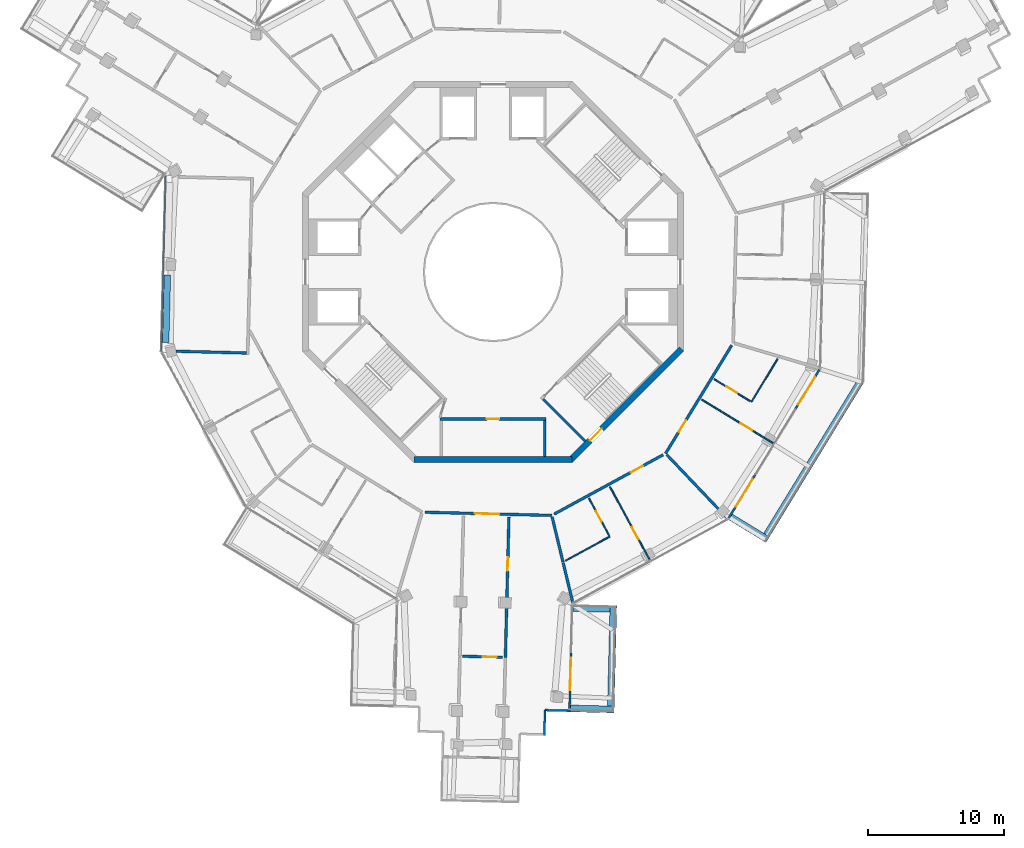
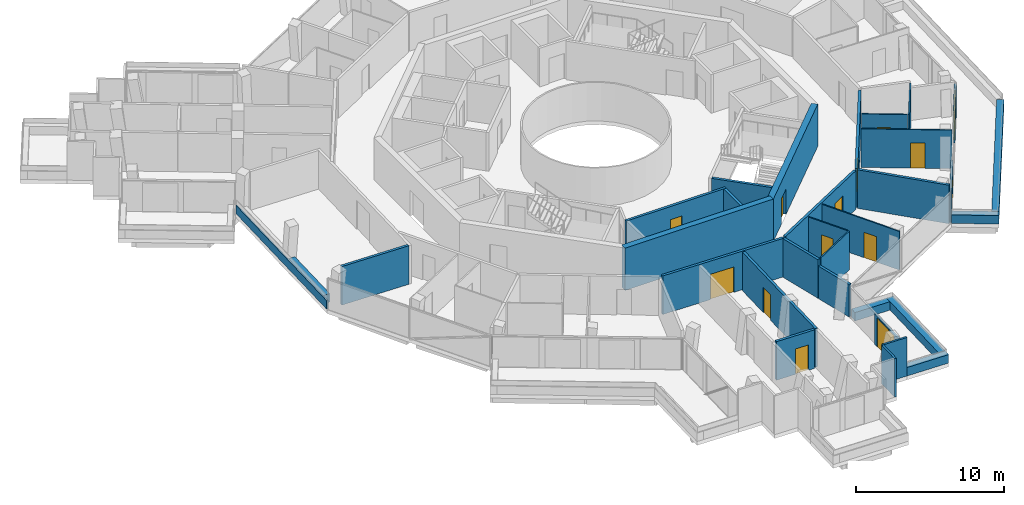
# One storey, part 17 of 24: 32 walls, 14 doors, 14 openings.
"""IFC4 building model written with IfcOpenShell, lengths in metres."""

from ifc_helpers import new_model, si_unit, direction, frame, frame_2d, origin, place, context, subcontext, project, spatial, rectangle, extrude, material, layer, layer_set, type_object, element, fill, save


model = new_model("IFC4")

# Units and contexts
model_context = context("Model", 3, precision=1e-05, world=origin(), true_north=direction((0.0, 1.0)))
body_context = subcontext(model_context, "Body", "Model", "MODEL_VIEW")
ifc_project = project(units=[si_unit("LENGTHUNIT", "METRE"), si_unit("AREAUNIT", "SQUARE_METRE"), si_unit("VOLUMEUNIT", "CUBIC_METRE"), si_unit("PLANEANGLEUNIT", "RADIAN"), si_unit("MASSUNIT", "GRAM", prefix="KILO")], contexts=[model_context])

# Site, building, storey
site_placement = place(None, origin())
site = spatial("IfcSite", under=ifc_project, at=site_placement, CompositionType="ELEMENT")
building_placement = place(site_placement, origin())
building = spatial("IfcBuilding", under=site, at=building_placement, Name="Verdalira Terraces Hotel", CompositionType="ELEMENT")
storey_placement = place(building_placement, frame((0.0, 0.0, 274.0)))
storey = spatial("IfcBuildingStorey", under=building, at=storey_placement, Name="L67", CompositionType="ELEMENT", Elevation=274.0)

# Walls
ifc_material_1 = material(Name="Concrete C40", Category="concrete")
ifc_layer_1 = layer(ifc_material_1, 0.5)
ifc_layer_set_1 = layer_set([ifc_layer_1], Name="Balcony planter trough with tree")
wall_type_1 = type_object("IfcWallType", Name="Balcony planter trough with tree", PredefinedType="SOLIDWALL", material=ifc_layer_set_1)
wall_1_placement = place(storey_placement, frame((5.69751, -32.044189, 0.0), z_axis=(0.0, 0.0, 1.0), x_axis=(0.999684732, -0.025108503, 0.0)))
element("IfcWall", 1, at=wall_1_placement, inside=storey, type_object=wall_type_1, Name="Balcony planter", PredefinedType="SOLIDWALL", context=body_context, shape_type="SweptSolid", body=[
    extrude(rectangle(XDim=3.198975, YDim=0.5, at=frame_2d((1.599609, 0.0))), origin(), (0.0, 0.0, 1.0), 0.699951),
])
wall_2_placement = place(storey_placement, frame((8.651855, -31.868408, 0.0), z_axis=(0.0, 0.0, 1.0), x_axis=(0.025132648, 0.999684125, 0.0)))
element("IfcWall", 2, at=wall_2_placement, inside=storey, type_object=wall_type_1, Name="Balcony planter", PredefinedType="SOLIDWALL", context=body_context, shape_type="SweptSolid", body=[
    extrude(rectangle(XDim=7.382812, YDim=0.5, at=frame_2d((3.691406, 0.0))), origin(), (0.0, 0.0, 1.0), 0.699951),
])
wall_3_placement = place(storey_placement, frame((8.581299, -24.731689, 0.0), z_axis=(0.0, 0.0, 1.0), x_axis=(-0.999686062, 0.025055469, 0.0)))
element("IfcWall", 3, at=wall_3_placement, inside=storey, type_object=wall_type_1, Name="Balcony planter", PredefinedType="SOLIDWALL", context=body_context, shape_type="SweptSolid", body=[
    extrude(rectangle(XDim=2.698975, YDim=0.5, at=frame_2d((1.349609, 0.0))), origin(), (0.0, 0.0, 1.0), 0.699951),
])
wall_4_placement = place(storey_placement, frame((17.437744, -17.986328, 0.0), z_axis=(0.0, 0.0, 1.0), x_axis=(0.853200699, -0.521582752, 0.0)))
element("IfcWall", 4, at=wall_4_placement, inside=storey, type_object=wall_type_1, Name="Balcony planter", PredefinedType="SOLIDWALL", context=body_context, shape_type="SweptSolid", body=[
    extrude(rectangle(XDim=3.19873, YDim=0.5, at=frame_2d((1.599365, 0.0))), origin(), (0.0, 0.0, 1.0), 0.699951),
])
wall_5_placement = place(storey_placement, frame((20.084229, -19.311035, 0.0), z_axis=(0.0, 0.0, 1.0), x_axis=(0.521610564, 0.853183696, 0.0)))
element("IfcWall", 5, at=wall_5_placement, inside=storey, type_object=wall_type_1, Name="Balcony planter", PredefinedType="SOLIDWALL", context=body_context, shape_type="SweptSolid", body=[
    extrude(rectangle(XDim=13.223389, YDim=0.5, at=frame_2d((6.611816, 0.0))), origin(), (0.0, 0.0, 1.0), 0.699951),
])
ifc_material_2 = material(Name="Moisture-resistant gypsum board partition")
ifc_layer_2 = layer(ifc_material_2, 0.10009765625)
ifc_layer_set_2 = layer_set([ifc_layer_2], Name="Bathroom partition 100 mm")
wall_type_2 = type_object("IfcWallType", Name="Bathroom partition 100 mm", PredefinedType="PARTITIONING", material=ifc_layer_set_2)
wall_6_placement = place(storey_placement, frame((5.317627, -21.195068, 0.0), z_axis=(0.0, 0.0, 1.0), x_axis=(0.878330978, 0.478053023, 0.0)))
element("IfcWall", 6, at=wall_6_placement, inside=storey, type_object=wall_type_2, Name="Bathroom partition", PredefinedType="PARTITIONING", context=body_context, shape_type="SweptSolid", body=[
    extrude(rectangle(XDim=3.704102, YDim=0.100098, at=frame_2d((1.852051, 0.0))), origin(), (0.0, 0.0, 1.0), 3.189941),
])

# Wall, opening, door
wall_7_placement = place(storey_placement, frame((8.523193, -19.336426, 0.0), z_axis=(0.0, 0.0, 1.0), x_axis=(-0.478129117, 0.878289558, 0.0)))
wall_7 = element("IfcWall", 7, at=wall_7_placement, inside=storey, type_object=wall_type_2, Name="Bathroom partition", PredefinedType="PARTITIONING", context=body_context, shape_type="SweptSolid", body=[
    extrude(rectangle(XDim=3.099854, YDim=0.100098, at=frame_2d((1.549805, 0.0))), origin(), (0.0, 0.0, 1.0), 3.189941),
])
opening_1_placement = place(wall_7_placement, frame((1.149902, 0.0, 0.0)))
opening_1 = element("IfcOpeningElement", 8, at=opening_1_placement, cuts=wall_7, Name="Opening L67-117", PredefinedType="OPENING", context=body_context, shape_type="SweptSolid", body=[
    extrude(rectangle(XDim=0.899902, YDim=2.100098, at=frame_2d((0.449951, 1.050049))), frame((0.0, 0.060059, 0.0), z_axis=(0.0, -1.0, 0.0), x_axis=(1.0, 0.0, 0.0)), (0.0, 0.0, 1.0), 0.120117),
])
ifc_material_3 = material(Name="Timber door", Category="wood")
door_type_1 = type_object("IfcDoorType", Name="Bathroom door 900 x 2100", OperationType="NOTDEFINED", PredefinedType="DOOR", material=ifc_material_3)
door_1_placement = place(opening_1_placement, origin())
door_1 = element("IfcDoor", 9, at=door_1_placement, inside=storey, type_object=door_type_1, Name="Bathroom door 6705", OperationType="SINGLE_SWING_LEFT", OverallHeight=2.10009765625, OverallWidth=0.89990234375, PredefinedType="DOOR", context=body_context, shape_type="SweptSolid", body=[
    extrude(rectangle(XDim=0.899902, YDim=2.100098, at=frame_2d((0.449951, 1.050049))), frame((0.0, 0.024902, 0.0), z_axis=(0.0, -1.0, 0.0), x_axis=(1.0, 0.0, 0.0)), (0.0, 0.0, 1.0), 0.050049),
])
fill(opening_1, door_1)

wall_8_placement = place(storey_placement, frame((11.525635, -21.174805, 0.0), z_axis=(0.0, 0.0, 1.0), x_axis=(-0.478081504, 0.878315476, 0.0)))
wall_8 = element("IfcWall", 10, at=wall_8_placement, inside=storey, type_object=wall_type_2, Name="Bathroom partition", PredefinedType="PARTITIONING", context=body_context, shape_type="SweptSolid", body=[
    extrude(rectangle(XDim=6.149902, YDim=0.100098, at=frame_2d((3.074951, 0.0))), origin(), (0.0, 0.0, 1.0), 3.189941),
])
opening_2_placement = place(wall_8_placement, frame((1.800049, 0.0, 0.0)))
opening_2 = element("IfcOpeningElement", 11, at=opening_2_placement, cuts=wall_8, Name="Opening L67-116", PredefinedType="OPENING", context=body_context, shape_type="SweptSolid", body=[
    extrude(rectangle(XDim=1.0, YDim=2.100098, at=frame_2d((0.5, 1.050049))), frame((0.0, 0.060059, 0.0), z_axis=(0.0, -1.0, 0.0), x_axis=(1.0, 0.0, 0.0)), (0.0, 0.0, 1.0), 0.120117),
])
ifc_material_4 = material(Name="Timber door", Category="wood")
door_type_2 = type_object("IfcDoorType", Name="Suite internal door 1000 x 2100", OperationType="NOTDEFINED", PredefinedType="DOOR", material=ifc_material_4)
door_2_placement = place(opening_2_placement, origin())
door_2 = element("IfcDoor", 12, at=door_2_placement, inside=storey, type_object=door_type_2, Name="Suite internal door 6705", OperationType="SINGLE_SWING_LEFT", OverallHeight=2.10009765625, OverallWidth=1.0, PredefinedType="DOOR", context=body_context, shape_type="SweptSolid", body=[
    extrude(rectangle(XDim=1.0, YDim=2.100098, at=frame_2d((0.5, 1.050049))), frame((0.0, 0.024902, 0.0), z_axis=(0.0, -1.0, 0.0), x_axis=(1.0, 0.0, 0.0)), (0.0, 0.0, 1.0), 0.050049),
])
fill(opening_2, door_2)

wall_9_placement = place(storey_placement, frame((16.239014, -7.866943, 0.0), z_axis=(0.0, 0.0, 1.0), x_axis=(0.85318253, -0.521612471, 0.0)))
wall_9 = element("IfcWall", 13, at=wall_9_placement, inside=storey, type_object=wall_type_2, Name="Bathroom partition", PredefinedType="PARTITIONING", context=body_context, shape_type="SweptSolid", body=[
    extrude(rectangle(XDim=3.099854, YDim=0.100098, at=frame_2d((1.549805, 0.0))), origin(), (0.0, 0.0, 1.0), 3.189941),
])
opening_3_placement = place(wall_9_placement, frame((1.050049, 0.0, 0.0)))
opening_3 = element("IfcOpeningElement", 14, at=opening_3_placement, cuts=wall_9, Name="Opening L67-120", PredefinedType="OPENING", context=body_context, shape_type="SweptSolid", body=[
    extrude(rectangle(XDim=0.899902, YDim=2.100098, at=frame_2d((0.449951, 1.050049))), frame((0.0, 0.060059, 0.0), z_axis=(0.0, -1.0, 0.0), x_axis=(1.0, 0.0, 0.0)), (0.0, 0.0, 1.0), 0.120117),
])
door_3_placement = place(opening_3_placement, origin())
door_3 = element("IfcDoor", 15, at=door_3_placement, inside=storey, type_object=door_type_1, Name="Bathroom door 6706", OperationType="SINGLE_SWING_RIGHT", OverallHeight=2.10009765625, OverallWidth=0.89990234375, PredefinedType="DOOR", context=body_context, shape_type="SweptSolid", body=[
    extrude(rectangle(XDim=0.899902, YDim=2.100098, at=frame_2d((0.449951, 1.050049))), frame((0.0, 0.024902, 0.0), z_axis=(0.0, -1.0, 0.0), x_axis=(1.0, 0.0, 0.0)), (0.0, 0.0, 1.0), 0.050049),
])
fill(opening_3, door_3)

wall_10_placement = place(storey_placement, frame((15.321777, -9.367188, 0.0), z_axis=(0.0, 0.0, 1.0), x_axis=(0.853193504, -0.521594521, 0.0)))
wall_10 = element("IfcWall", 16, at=wall_10_placement, inside=storey, type_object=wall_type_2, Name="Bathroom partition", PredefinedType="PARTITIONING", context=body_context, shape_type="SweptSolid", body=[
    extrude(rectangle(XDim=6.149902, YDim=0.100098, at=frame_2d((3.074951, 0.0))), origin(), (0.0, 0.0, 1.0), 3.189941),
])
opening_4_placement = place(wall_10_placement, frame((3.350098, 0.0, 0.0)))
opening_4 = element("IfcOpeningElement", 17, at=opening_4_placement, cuts=wall_10, Name="Opening L67-119", PredefinedType="OPENING", context=body_context, shape_type="SweptSolid", body=[
    extrude(rectangle(XDim=1.0, YDim=2.100098, at=frame_2d((0.5, 1.050049))), frame((0.0, 0.060059, 0.0), z_axis=(0.0, -1.0, 0.0), x_axis=(1.0, 0.0, 0.0)), (0.0, 0.0, 1.0), 0.120117),
])
door_4_placement = place(opening_4_placement, origin())
door_4 = element("IfcDoor", 18, at=door_4_placement, inside=storey, type_object=door_type_2, Name="Suite internal door 6706", OperationType="SINGLE_SWING_LEFT", OverallHeight=2.10009765625, OverallWidth=1.0, PredefinedType="DOOR", context=body_context, shape_type="SweptSolid", body=[
    extrude(rectangle(XDim=1.0, YDim=2.100098, at=frame_2d((0.5, 1.050049))), frame((0.0, 0.024902, 0.0), z_axis=(0.0, -1.0, 0.0), x_axis=(1.0, 0.0, 0.0)), (0.0, 0.0, 1.0), 0.050049),
])
fill(opening_4, door_4)

# Wall
wall_11_placement = place(storey_placement, frame((18.969238, -9.536133, 0.0), z_axis=(0.0, 0.0, 1.0), x_axis=(0.521583314, 0.853200356, 0.0)))
element("IfcWall", 19, at=wall_11_placement, inside=storey, type_object=wall_type_2, Name="Bathroom partition", PredefinedType="PARTITIONING", context=body_context, shape_type="SweptSolid", body=[
    extrude(rectangle(XDim=3.703857, YDim=0.100098, at=frame_2d((1.852051, 0.0))), origin(), (0.0, 0.0, 1.0), 3.189941),
])

# Wall, opening, door
ifc_material_5 = material(Name="Concrete C50", Category="concrete")
ifc_layer_3 = layer(ifc_material_5, 0.199951171875)
ifc_layer_set_3 = layer_set([ifc_layer_3], Name="Core RC wall 200 C50")
wall_type_3 = type_object("IfcWallType", Name="Core RC wall 200 C50", PredefinedType="SOLIDWALL", material=ifc_layer_set_3)
wall_12_placement = place(storey_placement, frame((-3.899902, -10.800049, 0.0), z_axis=(0.0, 0.0, 1.0), x_axis=(1.0, 0.0, 0.0)))
wall_12 = element("IfcWall", 20, at=wall_12_placement, inside=storey, type_object=wall_type_3, Name="L67 store front wall", PredefinedType="SOLIDWALL", context=body_context, shape_type="SweptSolid", body=[
    extrude(rectangle(XDim=7.799805, YDim=0.199951, at=frame_2d((3.899902, 0.0))), origin(), (0.0, 0.0, 1.0), 3.189941),
])
opening_5_placement = place(wall_12_placement, frame((3.449951, 0.0, 0.0)))
opening_5 = element("IfcOpeningElement", 21, at=opening_5_placement, cuts=wall_12, Name="Opening L67-801", PredefinedType="OPENING", context=body_context, shape_type="SweptSolid", body=[
    extrude(rectangle(XDim=0.899902, YDim=2.100098, at=frame_2d((0.449951, 1.050049))), frame((0.0, 0.109863, 0.0), z_axis=(0.0, -1.0, 0.0), x_axis=(1.0, 0.0, 0.0)), (0.0, 0.0, 1.0), 0.219971),
])
ifc_material_6 = material(Name="Steel fire door", Category="steel")
door_type_3 = type_object("IfcDoorType", Name="Core room door 900 x 2100", OperationType="NOTDEFINED", PredefinedType="DOOR", material=ifc_material_6)
door_5_placement = place(opening_5_placement, origin())
door_5 = element("IfcDoor", 22, at=door_5_placement, inside=storey, type_object=door_type_3, Name="Store door L67 SS", OperationType="SINGLE_SWING_LEFT", OverallHeight=2.10009765625, OverallWidth=0.89990234375, PredefinedType="DOOR", context=body_context, shape_type="SweptSolid", body=[
    extrude(rectangle(XDim=0.899902, YDim=2.100098, at=frame_2d((0.449951, 1.050049))), frame((0.0, 0.024902, 0.0), z_axis=(0.0, -1.0, 0.0), x_axis=(1.0, 0.0, 0.0)), (0.0, 0.0, 1.0), 0.050049),
])
fill(opening_5, door_5)

# Walls
wall_13_placement = place(storey_placement, frame((3.800049, -10.899902, 0.0), z_axis=(0.0, 0.0, 1.0), x_axis=(0.0, -1.0, 0.0)))
element("IfcWall", 23, at=wall_13_placement, inside=storey, type_object=wall_type_3, Name="L67 store side wall", PredefinedType="SOLIDWALL", context=body_context, shape_type="SweptSolid", body=[
    extrude(rectangle(XDim=2.650146, YDim=0.199951, at=frame_2d((1.325195, 0.0))), origin(), (0.0, 0.0, 1.0), 3.189941),
])
wall_14_placement = place(storey_placement, frame((3.677002, -9.33374, 0.0), z_axis=(0.0, 0.0, 1.0), x_axis=(0.707106781, -0.707106781, 0.0)))
element("IfcWall", 24, at=wall_14_placement, inside=storey, type_object=wall_type_3, Name="L67 stair ST3 end wall 1", PredefinedType="SOLIDWALL", context=body_context, shape_type="SweptSolid", body=[
    extrude(rectangle(XDim=4.350098, YDim=0.199951, at=frame_2d((2.175049, 0.0))), origin(), (0.0, 0.0, 1.0), 3.189941),
])
ifc_material_7 = material(Name="Concrete C50", Category="concrete")
ifc_layer_4 = layer(ifc_material_7, 0.449951171875)
ifc_layer_set_4 = layer_set([ifc_layer_4], Name="Core wall 450 C50")
wall_type_4 = type_object("IfcWallType", Name="Core wall 450 C50", PredefinedType="SHEAR", material=ifc_layer_set_4)
wall_15_placement = place(storey_placement, frame((-5.799072, -13.774902, 0.0), z_axis=(0.0, 0.0, 1.0), x_axis=(1.0, 0.0, 0.0)))
element("IfcWall", 25, at=wall_15_placement, inside=storey, type_object=wall_type_4, Name="Core wall CW-L67-7", PredefinedType="SHEAR", context=body_context, shape_type="SweptSolid", body=[
    extrude(rectangle(XDim=11.598145, YDim=0.449951, at=frame_2d((5.799072, 0.0))), origin(), (0.0, 0.0, 1.0), 3.5),
])

# Wall, opening, door
wall_16_placement = place(storey_placement, frame((5.639893, -13.84082, 0.0), z_axis=(0.0, 0.0, 1.0), x_axis=(0.707106781, 0.707106781, 0.0)))
wall_16 = element("IfcWall", 26, at=wall_16_placement, inside=storey, type_object=wall_type_4, Name="Core wall CW-L67-8", PredefinedType="SHEAR", context=body_context, shape_type="SweptSolid", body=[
    extrude(rectangle(XDim=11.5979, YDim=0.449951, at=frame_2d((5.798828, 0.0))), origin(), (0.0, 0.0, 1.0), 3.5),
])
opening_6_placement = place(wall_16_placement, frame((2.099121, 0.0, 0.0)))
opening_6 = element("IfcOpeningElement", 27, at=opening_6_placement, cuts=wall_16, Name="Opening L67-818", PredefinedType="OPENING", context=body_context, shape_type="SweptSolid", body=[
    extrude(rectangle(XDim=1.199951, YDim=2.100098, at=frame_2d((0.600098, 1.050049))), frame((0.0, 0.234863, 0.0), z_axis=(0.0, -1.0, 0.0), x_axis=(1.0, 0.0, 0.0)), (0.0, 0.0, 1.0), 0.469971),
])
ifc_material_8 = material(Name="Steel fire door", Category="steel")
door_type_4 = type_object("IfcDoorType", Name="Stair door 1200 x 2100", OperationType="NOTDEFINED", PredefinedType="DOOR", material=ifc_material_8)
door_6_placement = place(opening_6_placement, origin())
door_6 = element("IfcDoor", 28, at=door_6_placement, inside=storey, type_object=door_type_4, Name="Stair exit door ST3 L67", OperationType="SINGLE_SWING_LEFT", OverallHeight=2.10009765625, OverallWidth=1.199951171875, PredefinedType="DOOR", context=body_context, shape_type="SweptSolid", body=[
    extrude(rectangle(XDim=1.199951, YDim=2.100098, at=frame_2d((0.600098, 1.050049))), frame((0.0, 0.024902, 0.0), z_axis=(0.0, -1.0, 0.0), x_axis=(1.0, 0.0, 0.0)), (0.0, 0.0, 1.0), 0.050049),
])
fill(opening_6, door_6)

ifc_material_9 = material(Name="Fire-rated gypsum board wall")
ifc_layer_5 = layer(ifc_material_9, 0.199951171875)
ifc_layer_set_5 = layer_set([ifc_layer_5], Name="Demising wall 200 mm")
wall_type_5 = type_object("IfcWallType", Name="Demising wall 200 mm", PredefinedType="SOLIDWALL", material=ifc_layer_set_5)
wall_17_placement = place(storey_placement, frame((0.706299, -28.284912, 0.0), z_axis=(0.0, 0.0, 1.0), x_axis=(-0.999685777, 0.025066847, 0.0)))
wall_17 = element("IfcWall", 29, at=wall_17_placement, inside=storey, type_object=wall_type_5, Name="Demising wall", PredefinedType="SOLIDWALL", context=body_context, shape_type="SweptSolid", body=[
    extrude(rectangle(XDim=2.941406, YDim=0.199951, at=frame_2d((1.470703, 0.0))), origin(), (0.0, 0.0, 1.0), 3.189941),
])
opening_7_placement = place(wall_17_placement, frame((0.449951, 0.0, 0.0)))
opening_7 = element("IfcOpeningElement", 30, at=opening_7_placement, cuts=wall_17, Name="Opening L67-114", PredefinedType="OPENING", context=body_context, shape_type="SweptSolid", body=[
    extrude(rectangle(XDim=1.0, YDim=2.100098, at=frame_2d((0.5, 1.050049))), frame((0.0, 0.109863, 0.0), z_axis=(0.0, -1.0, 0.0), x_axis=(1.0, 0.0, 0.0)), (0.0, 0.0, 1.0), 0.219971),
])
ifc_material_10 = material(Name="Timber fire door", Category="wood")
door_type_5 = type_object("IfcDoorType", Name="Public room door 1000 x 2100", OperationType="NOTDEFINED", PredefinedType="DOOR", material=ifc_material_10)
door_7_placement = place(opening_7_placement, origin())
door_7 = element("IfcDoor", 31, at=door_7_placement, inside=storey, type_object=door_type_5, Name="Public room door 6704", OperationType="SINGLE_SWING_LEFT", OverallHeight=2.10009765625, OverallWidth=1.0, PredefinedType="DOOR", context=body_context, shape_type="SweptSolid", body=[
    extrude(rectangle(XDim=1.0, YDim=2.100098, at=frame_2d((0.5, 1.050049))), frame((0.0, 0.024902, 0.0), z_axis=(0.0, -1.0, 0.0), x_axis=(1.0, 0.0, 0.0)), (0.0, 0.0, 1.0), 0.050049),
])
fill(opening_7, door_7)

wall_18_placement = place(storey_placement, frame((1.165039, -17.993408, 0.0), z_axis=(0.0, 0.0, 1.0), x_axis=(-0.02514436, -0.999683831, 0.0)))
wall_18 = element("IfcWall", 32, at=wall_18_placement, inside=storey, type_object=wall_type_5, Name="Demising wall", PredefinedType="SOLIDWALL", context=body_context, shape_type="SweptSolid", body=[
    extrude(rectangle(XDim=10.301758, YDim=0.199951, at=frame_2d((5.150879, 0.0))), origin(), (0.0, 0.0, 1.0), 3.189941),
])
opening_8_placement = place(wall_18_placement, frame((2.949951, 0.0, 0.0)))
opening_8 = element("IfcOpeningElement", 33, at=opening_8_placement, cuts=wall_18, Name="Opening L67-113", PredefinedType="OPENING", context=body_context, shape_type="SweptSolid", body=[
    extrude(rectangle(XDim=1.0, YDim=2.100098, at=frame_2d((0.5, 1.050049))), frame((0.0, 0.109863, 0.0), z_axis=(0.0, -1.0, 0.0), x_axis=(1.0, 0.0, 0.0)), (0.0, 0.0, 1.0), 0.219971),
])
door_8_placement = place(opening_8_placement, origin())
door_8 = element("IfcDoor", 34, at=door_8_placement, inside=storey, type_object=door_type_5, Name="Public room door 6704", OperationType="SINGLE_SWING_LEFT", OverallHeight=2.10009765625, OverallWidth=1.0, PredefinedType="DOOR", context=body_context, shape_type="SweptSolid", body=[
    extrude(rectangle(XDim=1.0, YDim=2.100098, at=frame_2d((0.5, 1.050049))), frame((0.0, 0.024902, 0.0), z_axis=(0.0, -1.0, 0.0), x_axis=(1.0, 0.0, 0.0)), (0.0, 0.0, 1.0), 0.050049),
])
fill(opening_8, door_8)

# Walls
wall_19_placement = place(storey_placement, frame((4.334717, -17.9729, 0.0), z_axis=(0.0, 0.0, 1.0), x_axis=(0.234461345, -0.972125443, 0.0)))
element("IfcWall", 35, at=wall_19_placement, inside=storey, type_object=wall_type_5, Name="Demising wall", PredefinedType="SOLIDWALL", context=body_context, shape_type="SweptSolid", body=[
    extrude(rectangle(XDim=3.418457, YDim=0.199951, at=frame_2d((1.709229, 0.0))), origin(), (0.0, 0.0, 1.0), 3.189941),
])
wall_20_placement = place(storey_placement, frame((12.740479, -13.397705, 0.0), z_axis=(0.0, 0.0, 1.0), x_axis=(0.689126869, -0.72464071, 0.0)))
element("IfcWall", 36, at=wall_20_placement, inside=storey, type_object=wall_type_5, Name="Demising wall", PredefinedType="SOLIDWALL", context=body_context, shape_type="SweptSolid", body=[
    extrude(rectangle(XDim=6.47583, YDim=0.199951, at=frame_2d((3.237793, 0.0))), origin(), (0.0, 0.0, 1.0), 3.189941),
])
ifc_material_11 = material(Name="Fire-rated gypsum board wall")
ifc_layer_6 = layer(ifc_material_11, 0.199951171875)
ifc_layer_set_6 = layer_set([ifc_layer_6], Name="Demising wall 200 mm to beam soffit")
wall_type_6 = type_object("IfcWallType", Name="Demising wall 200 mm to beam soffit", PredefinedType="SOLIDWALL", material=ifc_layer_set_6)
wall_21_placement = place(storey_placement, frame((5.147217, -21.34082, 0.0), z_axis=(0.0, 0.0, 1.0), x_axis=(0.234458255, -0.972126189, 0.0)))
element("IfcWall", 37, at=wall_21_placement, inside=storey, type_object=wall_type_6, Name="Demising wall", PredefinedType="SOLIDWALL", context=body_context, shape_type="SweptSolid", body=[
    extrude(rectangle(XDim=3.011475, YDim=0.199951, at=frame_2d((1.505859, 0.0))), origin(), (0.0, 0.0, 1.0), 2.689941),
])

# Wall, opening, door
ifc_material_12 = material(Name="Fire-rated gypsum board wall")
ifc_layer_7 = layer(ifc_material_12, 0.199951171875)
ifc_layer_set_7 = layer_set([ifc_layer_7], Name="Guest corridor wall 200 mm")
wall_type_7 = type_object("IfcWallType", Name="Guest corridor wall 200 mm", PredefinedType="SOLIDWALL", material=ifc_layer_set_7)
wall_22_placement = place(storey_placement, frame((4.310547, -17.872314, 0.0), z_axis=(0.0, 0.0, 1.0), x_axis=(-0.999684183, 0.025130335, 0.0)))
wall_22 = element("IfcWall", 38, at=wall_22_placement, inside=storey, type_object=wall_type_7, Name="Guest corridor wall", PredefinedType="SOLIDWALL", context=body_context, shape_type="SweptSolid", body=[
    extrude(rectangle(XDim=9.31665, YDim=0.199951, at=frame_2d((4.658203, 0.0))), origin(), (0.0, 0.0, 1.0), 3.189941),
])
opening_9_placement = place(wall_22_placement, frame((3.841553, 0.0, 0.0)))
opening_9 = element("IfcOpeningElement", 39, at=opening_9_placement, cuts=wall_22, Name="Opening L67-111", PredefinedType="OPENING", context=body_context, shape_type="SweptSolid", body=[
    extrude(rectangle(XDim=1.800049, YDim=2.100098, at=frame_2d((0.899902, 1.050049))), frame((0.0, 0.109863, 0.0), z_axis=(0.0, -1.0, 0.0), x_axis=(1.0, 0.0, 0.0)), (0.0, 0.0, 1.0), 0.219971),
])
ifc_material_13 = material(Name="Timber fire door", Category="wood")
door_type_6 = type_object("IfcDoorType", Name="Public room double door 1800 x 2100", OperationType="NOTDEFINED", PredefinedType="DOOR", material=ifc_material_13)
door_9_placement = place(opening_9_placement, origin())
door_9 = element("IfcDoor", 40, at=door_9_placement, inside=storey, type_object=door_type_6, Name="Public room double door 6704", OperationType="DOUBLE_DOOR_SINGLE_SWING", OverallHeight=2.10009765625, OverallWidth=1.800048828125, PredefinedType="DOOR", context=body_context, shape_type="SweptSolid", body=[
    extrude(rectangle(XDim=1.800049, YDim=2.100098, at=frame_2d((0.899902, 1.050049))), frame((0.0, 0.024902, 0.0), z_axis=(0.0, -1.0, 0.0), x_axis=(1.0, 0.0, 0.0)), (0.0, 0.0, 1.0), 0.050049),
])
fill(opening_9, door_9)

wall_23_placement = place(storey_placement, frame((12.493408, -13.418213, 0.0), z_axis=(0.0, 0.0, 1.0), x_axis=(-0.878320972, -0.478071407, 0.0)))
wall_23 = element("IfcWall", 41, at=wall_23_placement, inside=storey, type_object=wall_type_7, Name="Guest corridor wall", PredefinedType="SOLIDWALL", context=body_context, shape_type="SweptSolid", body=[
    extrude(rectangle(XDim=9.116699, YDim=0.199951, at=frame_2d((4.55835, 0.0))), origin(), (0.0, 0.0, 1.0), 3.189941),
])
opening_10_placement = place(wall_23_placement, frame((1.699951, 0.0, 0.0)))
opening_10 = element("IfcOpeningElement", 42, at=opening_10_placement, cuts=wall_23, Name="Opening L67-115", PredefinedType="OPENING", context=body_context, shape_type="SweptSolid", body=[
    extrude(rectangle(XDim=1.0, YDim=2.100098, at=frame_2d((0.5, 1.050049))), frame((0.0, 0.109863, 0.0), z_axis=(0.0, -1.0, 0.0), x_axis=(1.0, 0.0, 0.0)), (0.0, 0.0, 1.0), 0.219971),
])
ifc_material_14 = material(Name="Timber fire door", Category="wood")
door_type_7 = type_object("IfcDoorType", Name="Guest entry door 1000 x 2100", OperationType="NOTDEFINED", PredefinedType="DOOR", material=ifc_material_14)
door_10_placement = place(opening_10_placement, origin())
door_10 = element("IfcDoor", 43, at=door_10_placement, inside=storey, type_object=door_type_7, Name="Guest entry door 6705", OperationType="SINGLE_SWING_LEFT", OverallHeight=2.10009765625, OverallWidth=1.0, PredefinedType="DOOR", context=body_context, shape_type="SweptSolid", body=[
    extrude(rectangle(XDim=1.0, YDim=2.100098, at=frame_2d((0.5, 1.050049))), frame((0.0, 0.024902, 0.0), z_axis=(0.0, -1.0, 0.0), x_axis=(1.0, 0.0, 0.0)), (0.0, 0.0, 1.0), 0.050049),
])
fill(opening_10, door_10)

wall_24_placement = place(storey_placement, frame((17.528809, -5.373779, 0.0), z_axis=(0.0, 0.0, 1.0), x_axis=(-0.521611117, -0.853183358, 0.0)))
wall_24 = element("IfcWall", 44, at=wall_24_placement, inside=storey, type_object=wall_type_7, Name="Guest corridor wall", PredefinedType="SOLIDWALL", context=body_context, shape_type="SweptSolid", body=[
    extrude(rectangle(XDim=9.31665, YDim=0.199951, at=frame_2d((4.658203, 0.0))), origin(), (0.0, 0.0, 1.0), 3.189941),
])
opening_11_placement = place(wall_24_placement, frame((6.458252, 0.0, 0.0)))
opening_11 = element("IfcOpeningElement", 45, at=opening_11_placement, cuts=wall_24, Name="Opening L67-118", PredefinedType="OPENING", context=body_context, shape_type="SweptSolid", body=[
    extrude(rectangle(XDim=1.0, YDim=2.100098, at=frame_2d((0.5, 1.050049))), frame((0.0, 0.109863, 0.0), z_axis=(0.0, -1.0, 0.0), x_axis=(1.0, 0.0, 0.0)), (0.0, 0.0, 1.0), 0.219971),
])
door_11_placement = place(opening_11_placement, origin())
door_11 = element("IfcDoor", 46, at=door_11_placement, inside=storey, type_object=door_type_7, Name="Guest entry door 6706", OperationType="SINGLE_SWING_LEFT", OverallHeight=2.10009765625, OverallWidth=1.0, PredefinedType="DOOR", context=body_context, shape_type="SweptSolid", body=[
    extrude(rectangle(XDim=1.0, YDim=2.100098, at=frame_2d((0.5, 1.050049))), frame((0.0, 0.024902, 0.0), z_axis=(0.0, -1.0, 0.0), x_axis=(1.0, 0.0, 0.0)), (0.0, 0.0, 1.0), 0.050049),
])
fill(opening_11, door_11)

# Walls
ifc_material_15 = material(Name="Terracotta cladding", Category="masonry")
ifc_layer_8 = layer(ifc_material_15, 0.199951171875)
ifc_layer_set_8 = layer_set([ifc_layer_8], Name="Loggia back wall 200")
wall_type_8 = type_object("IfcWallType", Name="Loggia back wall 200", PredefinedType="SOLIDWALL", material=ifc_layer_set_8)
wall_25_placement = place(storey_placement, frame((-23.280029, -5.816895, 0.0), z_axis=(0.0, 0.0, 1.0), x_axis=(0.999684155, -0.025131461, 0.0)))
element("IfcWall", 47, at=wall_25_placement, inside=storey, type_object=wall_type_8, Name="Loggia side wall", PredefinedType="SOLIDWALL", context=body_context, shape_type="SweptSolid", body=[
    extrude(rectangle(XDim=5.168213, YDim=0.199951, at=frame_2d((2.583984, 0.0))), origin(), (0.0, 0.0, 1.0), 3.189941),
])
ifc_material_16 = material(Name="Concrete C40", Category="concrete")
ifc_layer_9 = layer(ifc_material_16, 0.5)
ifc_layer_set_9 = layer_set([ifc_layer_9], Name="Loggia planter trough with tree")
wall_type_9 = type_object("IfcWallType", Name="Loggia planter trough with tree", PredefinedType="SOLIDWALL", material=ifc_layer_set_9)
wall_26_placement = place(storey_placement, frame((-23.921143, -0.210205, 0.0), z_axis=(0.0, 0.0, 1.0), x_axis=(-0.0251434, -0.999683855, 0.0)))
element("IfcWall", 48, at=wall_26_placement, inside=storey, type_object=wall_type_9, Name="Loggia planter", PredefinedType="SOLIDWALL", context=body_context, shape_type="SweptSolid", body=[
    extrude(rectangle(XDim=4.96167, YDim=0.5, at=frame_2d((2.480957, 0.0))), origin(), (0.0, 0.0, 1.0), 0.699951),
])
ifc_material_17 = material(Name="Concrete C40", Category="concrete")
ifc_layer_10 = layer(ifc_material_17, 0.10009765625)
ifc_layer_set_10 = layer_set([ifc_layer_10], Name="Loggia upstand 100")
wall_type_10 = type_object("IfcWallType", Name="Loggia upstand 100", PredefinedType="SOLIDWALL", material=ifc_layer_set_10)
wall_27_placement = place(storey_placement, frame((-24.039307, 7.026367, 0.0), z_axis=(0.0, 0.0, 1.0), x_axis=(-0.025136608, -0.999684026, 0.0)))
element("IfcWall", 49, at=wall_27_placement, inside=storey, type_object=wall_type_10, Name="Loggia upstand", PredefinedType="SOLIDWALL", context=body_context, shape_type="SweptSolid", body=[
    extrude(rectangle(XDim=12.840088, YDim=0.100098, at=frame_2d((6.419922, 0.0))), origin(), (0.0, 0.0, 1.0), 0.699951),
])
ifc_material_18 = material(Name="Terracotta cladding", Category="masonry")
ifc_layer_11 = layer(ifc_material_18, 0.14990234375)
ifc_layer_set_11 = layer_set([ifc_layer_11], Name="Terracotta clad wall 150")
wall_type_11 = type_object("IfcWallType", Name="Terracotta clad wall 150", PredefinedType="SOLIDWALL", material=ifc_layer_set_11)
wall_28_placement = place(storey_placement, frame((3.770508, -34.046387, 0.0), z_axis=(0.0, 0.0, 1.0), x_axis=(0.025132088, 0.999684139, 0.0)))
element("IfcWall", 50, at=wall_28_placement, inside=storey, type_object=wall_type_11, Name="Terracotta cladding wall", PredefinedType="SOLIDWALL", context=body_context, shape_type="SweptSolid", body=[
    extrude(rectangle(XDim=1.874756, YDim=0.149902, at=frame_2d((0.9375, 0.0))), origin(), (0.0, 0.0, 1.0), 3.189941),
])
wall_29_placement = place(storey_placement, frame((3.817627, -32.172119, 0.0), z_axis=(0.0, 0.0, 1.0), x_axis=(0.999684221, -0.025128817, 0.0)))
element("IfcWall", 51, at=wall_29_placement, inside=storey, type_object=wall_type_11, Name="Terracotta cladding wall", PredefinedType="SOLIDWALL", context=body_context, shape_type="SweptSolid", body=[
    extrude(rectangle(XDim=1.875, YDim=0.149902, at=frame_2d((0.9375, 0.0))), origin(), (0.0, 0.0, 1.0), 3.189941),
])

# Wall, opening, door
ifc_material_19 = material(Name="Terracotta cladding", Category="masonry")
ifc_layer_12 = layer(ifc_material_19, 0.14990234375)
ifc_layer_set_12 = layer_set([ifc_layer_12], Name="Terracotta door pier 150")
wall_type_12 = type_object("IfcWallType", Name="Terracotta door pier 150", PredefinedType="SOLIDWALL", material=ifc_layer_set_12)
wall_30_placement = place(storey_placement, frame((5.62085, -32.072266, 0.0), z_axis=(0.0, 0.0, 1.0), x_axis=(0.02511829, 0.999684486, 0.0)))
wall_30 = element("IfcWall", 52, at=wall_30_placement, inside=storey, type_object=wall_type_12, Name="Terracotta door pier", PredefinedType="SOLIDWALL", context=body_context, shape_type="SweptSolid", body=[
    extrude(rectangle(XDim=4.159912, YDim=0.149902, at=frame_2d((2.080078, 0.0))), origin(), (0.0, 0.0, 1.0), 2.524902),
])
opening_12_placement = place(wall_30_placement, frame((1.360107, 0.0, 0.0)))
opening_12 = element("IfcOpeningElement", 53, at=opening_12_placement, cuts=wall_30, Name="Opening L67-B08", PredefinedType="OPENING", context=body_context, shape_type="SweptSolid", body=[
    extrude(rectangle(XDim=2.399902, YDim=2.399902, at=frame_2d((1.199951, 1.199951))), frame((0.0, 0.084961, 0.0), z_axis=(0.0, -1.0, 0.0), x_axis=(1.0, 0.0, 0.0)), (0.0, 0.0, 1.0), 0.169922),
])
ifc_material_20 = material(Name="Clear glass", Category="glass")
door_type_8 = type_object("IfcDoorType", Name="Balcony sliding door 2400x2400", OperationType="NOTDEFINED", PredefinedType="DOOR", material=ifc_material_20)
door_12_placement = place(opening_12_placement, origin())
door_12 = element("IfcDoor", 54, at=door_12_placement, inside=storey, type_object=door_type_8, Name="Balcony sliding door", OperationType="SLIDING_TO_LEFT", OverallHeight=2.39990234375, OverallWidth=2.39990234375, PredefinedType="DOOR", context=body_context, shape_type="SweptSolid", body=[
    extrude(rectangle(XDim=2.399902, YDim=2.399902, at=frame_2d((1.199951, 1.199951))), frame((0.0, 0.024902, 0.0), z_axis=(0.0, -1.0, 0.0), x_axis=(1.0, 0.0, 0.0)), (0.0, 0.0, 1.0), 0.050049),
])
fill(opening_12, door_12)

wall_31_placement = place(storey_placement, frame((17.294678, -18.074463, 0.0), z_axis=(0.0, 0.0, 1.0), x_axis=(0.521598655, 0.853190977, 0.0)))
wall_31 = element("IfcWall", 55, at=wall_31_placement, inside=storey, type_object=wall_type_12, Name="Terracotta door pier", PredefinedType="SOLIDWALL", context=body_context, shape_type="SweptSolid", body=[
    extrude(rectangle(XDim=3.786621, YDim=0.149902, at=frame_2d((1.893311, 0.0))), origin(), (0.0, 0.0, 1.0), 2.524902),
])
opening_13_placement = place(wall_31_placement, frame((0.986572, 0.0, 0.0)))
opening_13 = element("IfcOpeningElement", 56, at=opening_13_placement, cuts=wall_31, Name="Opening L67-B09", PredefinedType="OPENING", context=body_context, shape_type="SweptSolid", body=[
    extrude(rectangle(XDim=2.399902, YDim=2.399902, at=frame_2d((1.199951, 1.199951))), frame((0.0, 0.084961, 0.0), z_axis=(0.0, -1.0, 0.0), x_axis=(1.0, 0.0, 0.0)), (0.0, 0.0, 1.0), 0.169922),
])
door_13_placement = place(opening_13_placement, origin())
door_13 = element("IfcDoor", 57, at=door_13_placement, inside=storey, type_object=door_type_8, Name="Balcony sliding door", OperationType="SLIDING_TO_LEFT", OverallHeight=2.39990234375, OverallWidth=2.39990234375, PredefinedType="DOOR", context=body_context, shape_type="SweptSolid", body=[
    extrude(rectangle(XDim=2.399902, YDim=2.399902, at=frame_2d((1.199951, 1.199951))), frame((0.0, 0.024902, 0.0), z_axis=(0.0, -1.0, 0.0), x_axis=(1.0, 0.0, 0.0)), (0.0, 0.0, 1.0), 0.050049),
])
fill(opening_13, door_13)

wall_32_placement = place(storey_placement, frame((22.183594, -10.077637, 0.0), z_axis=(0.0, 0.0, 1.0), x_axis=(0.521622897, 0.853176156, 0.0)))
wall_32 = element("IfcWall", 58, at=wall_32_placement, inside=storey, type_object=wall_type_12, Name="Terracotta door pier", PredefinedType="SOLIDWALL", context=body_context, shape_type="SweptSolid", body=[
    extrude(rectangle(XDim=3.427002, YDim=0.149902, at=frame_2d((1.713379, 0.0))), origin(), (0.0, 0.0, 1.0), 2.524902),
])
opening_14_placement = place(wall_32_placement, frame((0.399902, 0.0, 0.0)))
opening_14 = element("IfcOpeningElement", 59, at=opening_14_placement, cuts=wall_32, Name="Opening L67-B10", PredefinedType="OPENING", context=body_context, shape_type="SweptSolid", body=[
    extrude(rectangle(XDim=2.399902, YDim=2.399902, at=frame_2d((1.199951, 1.199951))), frame((0.0, 0.084961, 0.0), z_axis=(0.0, -1.0, 0.0), x_axis=(1.0, 0.0, 0.0)), (0.0, 0.0, 1.0), 0.169922),
])
door_14_placement = place(opening_14_placement, origin())
door_14 = element("IfcDoor", 60, at=door_14_placement, inside=storey, type_object=door_type_8, Name="Balcony sliding door", OperationType="SLIDING_TO_RIGHT", OverallHeight=2.39990234375, OverallWidth=2.39990234375, PredefinedType="DOOR", context=body_context, shape_type="SweptSolid", body=[
    extrude(rectangle(XDim=2.399902, YDim=2.399902, at=frame_2d((1.199951, 1.199951))), frame((0.0, 0.024902, 0.0), z_axis=(0.0, -1.0, 0.0), x_axis=(1.0, 0.0, 0.0)), (0.0, 0.0, 1.0), 0.050049),
])
fill(opening_14, door_14)

save(model, "model.ifc")
